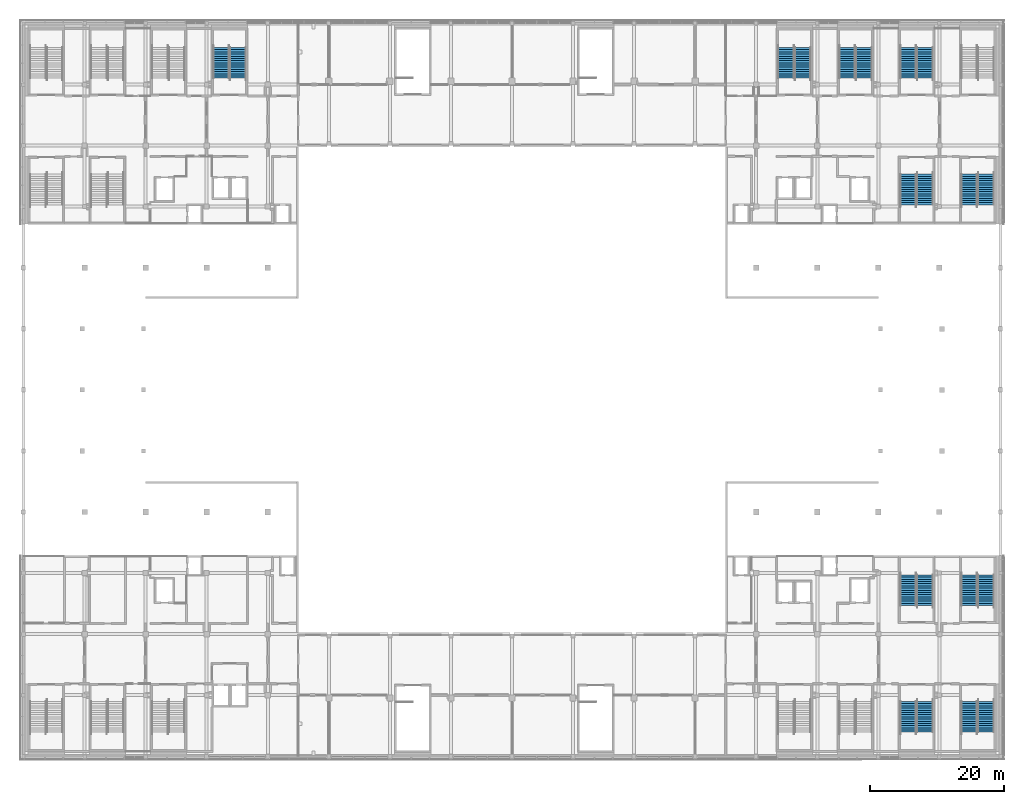
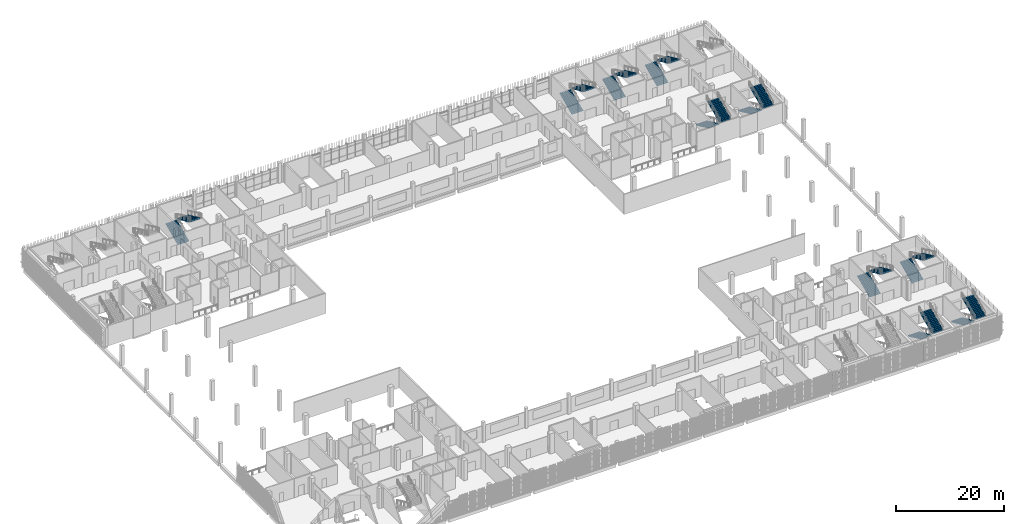
# One storey, part 70 of 104: 20 stair flights, 10 elements without a shape of their own.
"""IFC4 building model written with IfcOpenShell, lengths in metres."""

from ifc_helpers import new_model, si_unit, direction, frame, origin, place, context, subcontext, project, spatial, polyline, outline, extrude, material, type_object, element, aggregate, save


model = new_model("IFC4")

# Units and contexts
model_context = context("Model", 3, precision=1e-05, world=origin(), true_north=direction((0.0, 1.0)))
body_context = subcontext(model_context, "Body", "Model", "MODEL_VIEW")
ifc_project = project(units=[si_unit("LENGTHUNIT", "METRE"), si_unit("AREAUNIT", "SQUARE_METRE"), si_unit("VOLUMEUNIT", "CUBIC_METRE"), si_unit("PLANEANGLEUNIT", "RADIAN"), si_unit("MASSUNIT", "GRAM", prefix="KILO")], contexts=[model_context])

# Site, building, storey
site_placement = place(None, origin())
site = spatial("IfcSite", under=ifc_project, at=site_placement, CompositionType="ELEMENT")
building_placement = place(site_placement, origin())
building = spatial("IfcBuilding", under=site, at=building_placement, Name="Shirokan Park Arena", CompositionType="ELEMENT")
storey_placement = place(building_placement, frame((0.0, 0.0, 10.919921875)))
storey = spatial("IfcBuildingStorey", under=building, at=storey_placement, Name="L02", CompositionType="ELEMENT", Elevation=10.919921875)

# Stair, stair flights
ifc_material = material(Name="Concrete C30 precast", Category="concrete")
stair_type = type_object("IfcStairType", Name="Stair 30 risers 152 x 327 2400 wide", PredefinedType="TWO_STRAIGHT_RUN_STAIR", material=ifc_material)
stair_1_placement = place(storey_placement, origin())
stair_1 = element("IfcStair", 1, at=stair_1_placement, inside=storey, type_object=stair_type, Name="Exit Stair 2.A L02 to L03", PredefinedType="TWO_STRAIGHT_RUN_STAIR")
stair_flight_type = type_object("IfcStairFlightType", Name="Stair flight 15 risers 152 x 327 2400 wide", PredefinedType="STRAIGHT", material=ifc_material)
stair_flight_1_placement = place(storey_placement, frame((140.949951171875, 8.14990234375, 0.0), z_axis=(0.0, 0.0, 1.0), x_axis=(0.0, -1.0, 0.0)))
stair_flight_1 = element("IfcStairFlight", 2, at=stair_flight_1_placement, type_object=stair_flight_type, Name="ST04.3 flight 1", NumberOfRisers=15, NumberOfTreads=14, PredefinedType="STRAIGHT", RiserHeight=0.151666667, TreadLength=0.3267, context=body_context, shape_type="SweptSolid", body=[
    extrude(outline(polyline([(0.0, 0.0), (0.0, 0.151611328125), (0.32666015625, 0.151611328125), (0.32666015625, 0.30322265625), (0.6533203125, 0.30322265625), (0.6533203125, 0.455078125), (0.97998046875, 0.455078125), (0.97998046875, 0.606689453125), (1.306884765625, 0.606689453125), (1.306884765625, 0.75830078125), (1.633544921875, 0.75830078125), (1.633544921875, 0.909912109375), (1.960205078125, 0.909912109375), (1.960205078125, 1.061767578125), (2.286865234375, 1.061767578125), (2.286865234375, 1.21337890625), (2.613525390625, 1.21337890625), (2.613525390625, 1.364990234375), (2.940185546875, 1.364990234375), (2.940185546875, 1.5166015625), (3.26708984375, 1.5166015625), (3.26708984375, 1.668212890625), (3.59375, 1.668212890625), (3.59375, 1.820068359375), (3.92041015625, 1.820068359375), (3.92041015625, 1.9716796875), (4.2470703125, 1.9716796875), (4.2470703125, 2.123291015625), (4.57373046875, 2.123291015625), (4.57373046875, 2.27490234375), (4.57373046875, 1.9580078125), (0.35595703125, 0.0), (0.0, 0.0)])), frame((0.0, 1.199951171875, 0.0), z_axis=(0.0, -1.0, 0.0), x_axis=(1.0, 0.0, 0.0)), (0.0, 0.0, 1.0), 2.39990234375),
])
stair_flight_2_placement = place(storey_placement, frame((143.449951171875, 3.576171875, 2.275146484375), z_axis=(0.0, 0.0, 1.0), x_axis=(0.0, 1.0, 0.0)))
stair_flight_2 = element("IfcStairFlight", 3, at=stair_flight_2_placement, type_object=stair_flight_type, Name="ST04.3 flight 2", NumberOfRisers=15, NumberOfTreads=14, PredefinedType="STRAIGHT", RiserHeight=0.151666667, TreadLength=0.3267, context=body_context, shape_type="SweptSolid", body=[
    extrude(outline(polyline([(0.0, 0.0), (0.0, 0.151611328125), (0.32666015625, 0.151611328125), (0.32666015625, 0.30322265625), (0.6533203125, 0.30322265625), (0.6533203125, 0.455078125), (0.97998046875, 0.455078125), (0.97998046875, 0.606689453125), (1.306884765625, 0.606689453125), (1.306884765625, 0.75830078125), (1.633544921875, 0.75830078125), (1.633544921875, 0.909912109375), (1.960205078125, 0.909912109375), (1.960205078125, 1.061767578125), (2.286865234375, 1.061767578125), (2.286865234375, 1.21337890625), (2.613525390625, 1.21337890625), (2.613525390625, 1.364990234375), (2.940185546875, 1.364990234375), (2.940185546875, 1.5166015625), (3.26708984375, 1.5166015625), (3.26708984375, 1.668212890625), (3.59375, 1.668212890625), (3.59375, 1.820068359375), (3.92041015625, 1.820068359375), (3.92041015625, 1.9716796875), (4.2470703125, 1.9716796875), (4.2470703125, 2.123291015625), (4.57373046875, 2.123291015625), (4.57373046875, 2.27490234375), (4.57373046875, 1.9580078125), (0.35595703125, 0.0), (0.0, 0.0)])), frame((0.0, 1.199951171875, 0.0), z_axis=(0.0, -1.0, 0.0), x_axis=(1.0, 0.0, 0.0)), (0.0, 0.0, 1.0), 2.39990234375),
])
aggregate(stair_1, [stair_flight_1, stair_flight_2])

stair_2_placement = place(storey_placement, origin())
stair_2 = element("IfcStair", 4, at=stair_2_placement, inside=storey, type_object=stair_type, Name="Exit Stair 2.B L02 to L03", PredefinedType="TWO_STRAIGHT_RUN_STAIR")
stair_flight_3_placement = place(storey_placement, frame((131.85009765625, 8.14990234375, 0.0), z_axis=(0.0, 0.0, 1.0), x_axis=(0.0, -1.0, 0.0)))
stair_flight_3 = element("IfcStairFlight", 5, at=stair_flight_3_placement, type_object=stair_flight_type, Name="ST05.3 flight 1", NumberOfRisers=15, NumberOfTreads=14, PredefinedType="STRAIGHT", RiserHeight=0.151666667, TreadLength=0.3267, context=body_context, shape_type="SweptSolid", body=[
    extrude(outline(polyline([(0.0, 0.0), (0.0, 0.151611328125), (0.32666015625, 0.151611328125), (0.32666015625, 0.30322265625), (0.6533203125, 0.30322265625), (0.6533203125, 0.455078125), (0.97998046875, 0.455078125), (0.97998046875, 0.606689453125), (1.306884765625, 0.606689453125), (1.306884765625, 0.75830078125), (1.633544921875, 0.75830078125), (1.633544921875, 0.909912109375), (1.960205078125, 0.909912109375), (1.960205078125, 1.061767578125), (2.286865234375, 1.061767578125), (2.286865234375, 1.21337890625), (2.613525390625, 1.21337890625), (2.613525390625, 1.364990234375), (2.940185546875, 1.364990234375), (2.940185546875, 1.5166015625), (3.26708984375, 1.5166015625), (3.26708984375, 1.668212890625), (3.59375, 1.668212890625), (3.59375, 1.820068359375), (3.92041015625, 1.820068359375), (3.92041015625, 1.9716796875), (4.2470703125, 1.9716796875), (4.2470703125, 2.123291015625), (4.57373046875, 2.123291015625), (4.57373046875, 2.27490234375), (4.57373046875, 1.9580078125), (0.35595703125, 0.0), (0.0, 0.0)])), frame((0.0, 1.199951171875, 0.0), z_axis=(0.0, -1.0, 0.0), x_axis=(1.0, 0.0, 0.0)), (0.0, 0.0, 1.0), 2.39990234375),
])
stair_flight_4_placement = place(storey_placement, frame((134.35009765625, 3.576171875, 2.275146484375), z_axis=(0.0, 0.0, 1.0), x_axis=(0.0, 1.0, 0.0)))
stair_flight_4 = element("IfcStairFlight", 6, at=stair_flight_4_placement, type_object=stair_flight_type, Name="ST05.3 flight 2", NumberOfRisers=15, NumberOfTreads=14, PredefinedType="STRAIGHT", RiserHeight=0.151666667, TreadLength=0.3267, context=body_context, shape_type="SweptSolid", body=[
    extrude(outline(polyline([(0.0, 0.0), (0.0, 0.151611328125), (0.32666015625, 0.151611328125), (0.32666015625, 0.30322265625), (0.6533203125, 0.30322265625), (0.6533203125, 0.455078125), (0.97998046875, 0.455078125), (0.97998046875, 0.606689453125), (1.306884765625, 0.606689453125), (1.306884765625, 0.75830078125), (1.633544921875, 0.75830078125), (1.633544921875, 0.909912109375), (1.960205078125, 0.909912109375), (1.960205078125, 1.061767578125), (2.286865234375, 1.061767578125), (2.286865234375, 1.21337890625), (2.613525390625, 1.21337890625), (2.613525390625, 1.364990234375), (2.940185546875, 1.364990234375), (2.940185546875, 1.5166015625), (3.26708984375, 1.5166015625), (3.26708984375, 1.668212890625), (3.59375, 1.668212890625), (3.59375, 1.820068359375), (3.92041015625, 1.820068359375), (3.92041015625, 1.9716796875), (4.2470703125, 1.9716796875), (4.2470703125, 2.123291015625), (4.57373046875, 2.123291015625), (4.57373046875, 2.27490234375), (4.57373046875, 1.9580078125), (0.35595703125, 0.0), (0.0, 0.0)])), frame((0.0, 1.199951171875, 0.0), z_axis=(0.0, -1.0, 0.0), x_axis=(1.0, 0.0, 0.0)), (0.0, 0.0, 1.0), 2.39990234375),
])
aggregate(stair_2, [stair_flight_3, stair_flight_4])

stair_3_placement = place(storey_placement, origin())
stair_3 = element("IfcStair", 7, at=stair_3_placement, inside=storey, type_object=stair_type, Name="Exit Stair 2.E L02 to L03", PredefinedType="TWO_STRAIGHT_RUN_STAIR")
stair_flight_5_placement = place(storey_placement, frame((140.949951171875, 22.449951171875, 0.0), z_axis=(0.0, 0.0, 1.0), x_axis=(0.0, 1.0, 0.0)))
stair_flight_5 = element("IfcStairFlight", 8, at=stair_flight_5_placement, type_object=stair_flight_type, Name="ST08.3 flight 1", NumberOfRisers=15, NumberOfTreads=14, PredefinedType="STRAIGHT", RiserHeight=0.151666667, TreadLength=0.3267, context=body_context, shape_type="SweptSolid", body=[
    extrude(outline(polyline([(0.0, 0.0), (0.0, 0.151611328125), (0.32666015625, 0.151611328125), (0.32666015625, 0.30322265625), (0.6533203125, 0.30322265625), (0.6533203125, 0.455078125), (0.97998046875, 0.455078125), (0.97998046875, 0.606689453125), (1.306884765625, 0.606689453125), (1.306884765625, 0.75830078125), (1.633544921875, 0.75830078125), (1.633544921875, 0.909912109375), (1.960205078125, 0.909912109375), (1.960205078125, 1.061767578125), (2.286865234375, 1.061767578125), (2.286865234375, 1.21337890625), (2.613525390625, 1.21337890625), (2.613525390625, 1.364990234375), (2.940185546875, 1.364990234375), (2.940185546875, 1.5166015625), (3.26708984375, 1.5166015625), (3.26708984375, 1.668212890625), (3.59375, 1.668212890625), (3.59375, 1.820068359375), (3.92041015625, 1.820068359375), (3.92041015625, 1.9716796875), (4.2470703125, 1.9716796875), (4.2470703125, 2.123291015625), (4.57373046875, 2.123291015625), (4.57373046875, 2.27490234375), (4.57373046875, 1.9580078125), (0.35595703125, 0.0), (0.0, 0.0)])), frame((0.0, 1.199951171875, 0.0), z_axis=(0.0, -1.0, 0.0), x_axis=(1.0, 0.0, 0.0)), (0.0, 0.0, 1.0), 2.39990234375),
])
stair_flight_6_placement = place(storey_placement, frame((143.449951171875, 27.023681640625, 2.275146484375), z_axis=(0.0, 0.0, 1.0), x_axis=(0.0, -1.0, 0.0)))
stair_flight_6 = element("IfcStairFlight", 9, at=stair_flight_6_placement, type_object=stair_flight_type, Name="ST08.3 flight 2", NumberOfRisers=15, NumberOfTreads=14, PredefinedType="STRAIGHT", RiserHeight=0.151666667, TreadLength=0.3267, context=body_context, shape_type="SweptSolid", body=[
    extrude(outline(polyline([(0.0, 0.0), (0.0, 0.151611328125), (0.32666015625, 0.151611328125), (0.32666015625, 0.30322265625), (0.6533203125, 0.30322265625), (0.6533203125, 0.455078125), (0.97998046875, 0.455078125), (0.97998046875, 0.606689453125), (1.306884765625, 0.606689453125), (1.306884765625, 0.75830078125), (1.633544921875, 0.75830078125), (1.633544921875, 0.909912109375), (1.960205078125, 0.909912109375), (1.960205078125, 1.061767578125), (2.286865234375, 1.061767578125), (2.286865234375, 1.21337890625), (2.613525390625, 1.21337890625), (2.613525390625, 1.364990234375), (2.940185546875, 1.364990234375), (2.940185546875, 1.5166015625), (3.26708984375, 1.5166015625), (3.26708984375, 1.668212890625), (3.59375, 1.668212890625), (3.59375, 1.820068359375), (3.92041015625, 1.820068359375), (3.92041015625, 1.9716796875), (4.2470703125, 1.9716796875), (4.2470703125, 2.123291015625), (4.57373046875, 2.123291015625), (4.57373046875, 2.27490234375), (4.57373046875, 1.9580078125), (0.35595703125, 0.0), (0.0, 0.0)])), frame((0.0, 1.199951171875, 0.0), z_axis=(0.0, -1.0, 0.0), x_axis=(1.0, 0.0, 0.0)), (0.0, 0.0, 1.0), 2.39990234375),
])
aggregate(stair_3, [stair_flight_5, stair_flight_6])

stair_4_placement = place(storey_placement, origin())
stair_4 = element("IfcStair", 10, at=stair_4_placement, inside=storey, type_object=stair_type, Name="Exit Stair 2.F L02 to L03", PredefinedType="TWO_STRAIGHT_RUN_STAIR")
stair_flight_7_placement = place(storey_placement, frame((131.85009765625, 22.449951171875, 0.0), z_axis=(0.0, 0.0, 1.0), x_axis=(0.0, 1.0, 0.0)))
stair_flight_7 = element("IfcStairFlight", 11, at=stair_flight_7_placement, type_object=stair_flight_type, Name="ST09.3 flight 1", NumberOfRisers=15, NumberOfTreads=14, PredefinedType="STRAIGHT", RiserHeight=0.151666667, TreadLength=0.3267, context=body_context, shape_type="SweptSolid", body=[
    extrude(outline(polyline([(0.0, 0.0), (0.0, 0.151611328125), (0.32666015625, 0.151611328125), (0.32666015625, 0.30322265625), (0.6533203125, 0.30322265625), (0.6533203125, 0.455078125), (0.97998046875, 0.455078125), (0.97998046875, 0.606689453125), (1.306884765625, 0.606689453125), (1.306884765625, 0.75830078125), (1.633544921875, 0.75830078125), (1.633544921875, 0.909912109375), (1.960205078125, 0.909912109375), (1.960205078125, 1.061767578125), (2.286865234375, 1.061767578125), (2.286865234375, 1.21337890625), (2.613525390625, 1.21337890625), (2.613525390625, 1.364990234375), (2.940185546875, 1.364990234375), (2.940185546875, 1.5166015625), (3.26708984375, 1.5166015625), (3.26708984375, 1.668212890625), (3.59375, 1.668212890625), (3.59375, 1.820068359375), (3.92041015625, 1.820068359375), (3.92041015625, 1.9716796875), (4.2470703125, 1.9716796875), (4.2470703125, 2.123291015625), (4.57373046875, 2.123291015625), (4.57373046875, 2.27490234375), (4.57373046875, 1.9580078125), (0.35595703125, 0.0), (0.0, 0.0)])), frame((0.0, 1.199951171875, 0.0), z_axis=(0.0, -1.0, 0.0), x_axis=(1.0, 0.0, 0.0)), (0.0, 0.0, 1.0), 2.39990234375),
])
stair_flight_8_placement = place(storey_placement, frame((134.35009765625, 27.023681640625, 2.275146484375), z_axis=(0.0, 0.0, 1.0), x_axis=(0.0, -1.0, 0.0)))
stair_flight_8 = element("IfcStairFlight", 12, at=stair_flight_8_placement, type_object=stair_flight_type, Name="ST09.3 flight 2", NumberOfRisers=15, NumberOfTreads=14, PredefinedType="STRAIGHT", RiserHeight=0.151666667, TreadLength=0.3267, context=body_context, shape_type="SweptSolid", body=[
    extrude(outline(polyline([(0.0, 0.0), (0.0, 0.151611328125), (0.32666015625, 0.151611328125), (0.32666015625, 0.30322265625), (0.6533203125, 0.30322265625), (0.6533203125, 0.455078125), (0.97998046875, 0.455078125), (0.97998046875, 0.606689453125), (1.306884765625, 0.606689453125), (1.306884765625, 0.75830078125), (1.633544921875, 0.75830078125), (1.633544921875, 0.909912109375), (1.960205078125, 0.909912109375), (1.960205078125, 1.061767578125), (2.286865234375, 1.061767578125), (2.286865234375, 1.21337890625), (2.613525390625, 1.21337890625), (2.613525390625, 1.364990234375), (2.940185546875, 1.364990234375), (2.940185546875, 1.5166015625), (3.26708984375, 1.5166015625), (3.26708984375, 1.668212890625), (3.59375, 1.668212890625), (3.59375, 1.820068359375), (3.92041015625, 1.820068359375), (3.92041015625, 1.9716796875), (4.2470703125, 1.9716796875), (4.2470703125, 2.123291015625), (4.57373046875, 2.123291015625), (4.57373046875, 2.27490234375), (4.57373046875, 1.9580078125), (0.35595703125, 0.0), (0.0, 0.0)])), frame((0.0, 1.199951171875, 0.0), z_axis=(0.0, -1.0, 0.0), x_axis=(1.0, 0.0, 0.0)), (0.0, 0.0, 1.0), 2.39990234375),
])
aggregate(stair_4, [stair_flight_7, stair_flight_8])

stair_5_placement = place(storey_placement, origin())
stair_5 = element("IfcStair", 13, at=stair_5_placement, inside=storey, type_object=stair_type, Name="Exit Stair 4.D L02 to L03", PredefinedType="TWO_STRAIGHT_RUN_STAIR")
stair_flight_9_placement = place(storey_placement, frame((29.449951171875, 101.050048828125, 0.0), z_axis=(0.0, 0.0, 1.0), x_axis=(0.0, 1.0, 0.0)))
stair_flight_9 = element("IfcStairFlight", 14, at=stair_flight_9_placement, type_object=stair_flight_type, Name="ST13.3 flight 1", NumberOfRisers=15, NumberOfTreads=14, PredefinedType="STRAIGHT", RiserHeight=0.151666667, TreadLength=0.3267, context=body_context, shape_type="SweptSolid", body=[
    extrude(outline(polyline([(0.0, 0.0), (0.0, 0.151611328125), (0.32666015625, 0.151611328125), (0.32666015625, 0.30322265625), (0.6533203125, 0.30322265625), (0.6533203125, 0.455078125), (0.97998046875, 0.455078125), (0.97998046875, 0.606689453125), (1.306884765625, 0.606689453125), (1.306884765625, 0.75830078125), (1.633544921875, 0.75830078125), (1.633544921875, 0.909912109375), (1.960205078125, 0.909912109375), (1.960205078125, 1.061767578125), (2.286865234375, 1.061767578125), (2.286865234375, 1.21337890625), (2.613525390625, 1.21337890625), (2.613525390625, 1.364990234375), (2.940185546875, 1.364990234375), (2.940185546875, 1.5166015625), (3.26708984375, 1.5166015625), (3.26708984375, 1.668212890625), (3.59375, 1.668212890625), (3.59375, 1.820068359375), (3.92041015625, 1.820068359375), (3.92041015625, 1.9716796875), (4.2470703125, 1.9716796875), (4.2470703125, 2.123291015625), (4.57373046875, 2.123291015625), (4.57373046875, 2.27490234375), (4.57373046875, 1.9580078125), (0.35595703125, 0.0), (0.0, 0.0)])), frame((0.0, 1.199951171875, 0.0), z_axis=(0.0, -1.0, 0.0), x_axis=(1.0, 0.0, 0.0)), (0.0, 0.0, 1.0), 2.39990234375),
])
stair_flight_10_placement = place(storey_placement, frame((31.949951171875, 105.623779296875, 2.275146484375), z_axis=(0.0, 0.0, 1.0), x_axis=(0.0, -1.0, 0.0)))
stair_flight_10 = element("IfcStairFlight", 15, at=stair_flight_10_placement, type_object=stair_flight_type, Name="ST13.3 flight 2", NumberOfRisers=15, NumberOfTreads=14, PredefinedType="STRAIGHT", RiserHeight=0.151666667, TreadLength=0.3267, context=body_context, shape_type="SweptSolid", body=[
    extrude(outline(polyline([(0.0, 0.0), (0.0, 0.151611328125), (0.32666015625, 0.151611328125), (0.32666015625, 0.30322265625), (0.6533203125, 0.30322265625), (0.6533203125, 0.455078125), (0.97998046875, 0.455078125), (0.97998046875, 0.606689453125), (1.306884765625, 0.606689453125), (1.306884765625, 0.75830078125), (1.633544921875, 0.75830078125), (1.633544921875, 0.909912109375), (1.960205078125, 0.909912109375), (1.960205078125, 1.061767578125), (2.286865234375, 1.061767578125), (2.286865234375, 1.21337890625), (2.613525390625, 1.21337890625), (2.613525390625, 1.364990234375), (2.940185546875, 1.364990234375), (2.940185546875, 1.5166015625), (3.26708984375, 1.5166015625), (3.26708984375, 1.668212890625), (3.59375, 1.668212890625), (3.59375, 1.820068359375), (3.92041015625, 1.820068359375), (3.92041015625, 1.9716796875), (4.2470703125, 1.9716796875), (4.2470703125, 2.123291015625), (4.57373046875, 2.123291015625), (4.57373046875, 2.27490234375), (4.57373046875, 1.9580078125), (0.35595703125, 0.0), (0.0, 0.0)])), frame((0.0, 1.199951171875, 0.0), z_axis=(0.0, -1.0, 0.0), x_axis=(1.0, 0.0, 0.0)), (0.0, 0.0, 1.0), 2.39990234375),
])
aggregate(stair_5, [stair_flight_9, stair_flight_10])

stair_6_placement = place(storey_placement, origin())
stair_6 = element("IfcStair", 16, at=stair_6_placement, inside=storey, type_object=stair_type, Name="Exit Stair 3.B L02 to L03", PredefinedType="TWO_STRAIGHT_RUN_STAIR")
stair_flight_11_placement = place(storey_placement, frame((131.85009765625, 101.050048828125, 0.0), z_axis=(0.0, 0.0, 1.0), x_axis=(0.0, 1.0, 0.0)))
stair_flight_11 = element("IfcStairFlight", 17, at=stair_flight_11_placement, type_object=stair_flight_type, Name="ST17.3 flight 1", NumberOfRisers=15, NumberOfTreads=14, PredefinedType="STRAIGHT", RiserHeight=0.151666667, TreadLength=0.3267, context=body_context, shape_type="SweptSolid", body=[
    extrude(outline(polyline([(0.0, 0.0), (0.0, 0.151611328125), (0.32666015625, 0.151611328125), (0.32666015625, 0.30322265625), (0.6533203125, 0.30322265625), (0.6533203125, 0.455078125), (0.97998046875, 0.455078125), (0.97998046875, 0.606689453125), (1.306884765625, 0.606689453125), (1.306884765625, 0.75830078125), (1.633544921875, 0.75830078125), (1.633544921875, 0.909912109375), (1.960205078125, 0.909912109375), (1.960205078125, 1.061767578125), (2.286865234375, 1.061767578125), (2.286865234375, 1.21337890625), (2.613525390625, 1.21337890625), (2.613525390625, 1.364990234375), (2.940185546875, 1.364990234375), (2.940185546875, 1.5166015625), (3.26708984375, 1.5166015625), (3.26708984375, 1.668212890625), (3.59375, 1.668212890625), (3.59375, 1.820068359375), (3.92041015625, 1.820068359375), (3.92041015625, 1.9716796875), (4.2470703125, 1.9716796875), (4.2470703125, 2.123291015625), (4.57373046875, 2.123291015625), (4.57373046875, 2.27490234375), (4.57373046875, 1.9580078125), (0.35595703125, 0.0), (0.0, 0.0)])), frame((0.0, 1.199951171875, 0.0), z_axis=(0.0, -1.0, 0.0), x_axis=(1.0, 0.0, 0.0)), (0.0, 0.0, 1.0), 2.39990234375),
])
stair_flight_12_placement = place(storey_placement, frame((134.35009765625, 105.623779296875, 2.275146484375), z_axis=(0.0, 0.0, 1.0), x_axis=(0.0, -1.0, 0.0)))
stair_flight_12 = element("IfcStairFlight", 18, at=stair_flight_12_placement, type_object=stair_flight_type, Name="ST17.3 flight 2", NumberOfRisers=15, NumberOfTreads=14, PredefinedType="STRAIGHT", RiserHeight=0.151666667, TreadLength=0.3267, context=body_context, shape_type="SweptSolid", body=[
    extrude(outline(polyline([(0.0, 0.0), (0.0, 0.151611328125), (0.32666015625, 0.151611328125), (0.32666015625, 0.30322265625), (0.6533203125, 0.30322265625), (0.6533203125, 0.455078125), (0.97998046875, 0.455078125), (0.97998046875, 0.606689453125), (1.306884765625, 0.606689453125), (1.306884765625, 0.75830078125), (1.633544921875, 0.75830078125), (1.633544921875, 0.909912109375), (1.960205078125, 0.909912109375), (1.960205078125, 1.061767578125), (2.286865234375, 1.061767578125), (2.286865234375, 1.21337890625), (2.613525390625, 1.21337890625), (2.613525390625, 1.364990234375), (2.940185546875, 1.364990234375), (2.940185546875, 1.5166015625), (3.26708984375, 1.5166015625), (3.26708984375, 1.668212890625), (3.59375, 1.668212890625), (3.59375, 1.820068359375), (3.92041015625, 1.820068359375), (3.92041015625, 1.9716796875), (4.2470703125, 1.9716796875), (4.2470703125, 2.123291015625), (4.57373046875, 2.123291015625), (4.57373046875, 2.27490234375), (4.57373046875, 1.9580078125), (0.35595703125, 0.0), (0.0, 0.0)])), frame((0.0, 1.199951171875, 0.0), z_axis=(0.0, -1.0, 0.0), x_axis=(1.0, 0.0, 0.0)), (0.0, 0.0, 1.0), 2.39990234375),
])
aggregate(stair_6, [stair_flight_11, stair_flight_12])

stair_7_placement = place(storey_placement, origin())
stair_7 = element("IfcStair", 19, at=stair_7_placement, inside=storey, type_object=stair_type, Name="Exit Stair 3.C L02 to L03", PredefinedType="TWO_STRAIGHT_RUN_STAIR")
stair_flight_13_placement = place(storey_placement, frame((122.75, 101.050048828125, 0.0), z_axis=(0.0, 0.0, 1.0), x_axis=(0.0, 1.0, 0.0)))
stair_flight_13 = element("IfcStairFlight", 20, at=stair_flight_13_placement, type_object=stair_flight_type, Name="ST18.3 flight 1", NumberOfRisers=15, NumberOfTreads=14, PredefinedType="STRAIGHT", RiserHeight=0.151666667, TreadLength=0.3267, context=body_context, shape_type="SweptSolid", body=[
    extrude(outline(polyline([(0.0, 0.0), (0.0, 0.151611328125), (0.32666015625, 0.151611328125), (0.32666015625, 0.30322265625), (0.6533203125, 0.30322265625), (0.6533203125, 0.455078125), (0.97998046875, 0.455078125), (0.97998046875, 0.606689453125), (1.306884765625, 0.606689453125), (1.306884765625, 0.75830078125), (1.633544921875, 0.75830078125), (1.633544921875, 0.909912109375), (1.960205078125, 0.909912109375), (1.960205078125, 1.061767578125), (2.286865234375, 1.061767578125), (2.286865234375, 1.21337890625), (2.613525390625, 1.21337890625), (2.613525390625, 1.364990234375), (2.940185546875, 1.364990234375), (2.940185546875, 1.5166015625), (3.26708984375, 1.5166015625), (3.26708984375, 1.668212890625), (3.59375, 1.668212890625), (3.59375, 1.820068359375), (3.92041015625, 1.820068359375), (3.92041015625, 1.9716796875), (4.2470703125, 1.9716796875), (4.2470703125, 2.123291015625), (4.57373046875, 2.123291015625), (4.57373046875, 2.27490234375), (4.57373046875, 1.9580078125), (0.35595703125, 0.0), (0.0, 0.0)])), frame((0.0, 1.199951171875, 0.0), z_axis=(0.0, -1.0, 0.0), x_axis=(1.0, 0.0, 0.0)), (0.0, 0.0, 1.0), 2.39990234375),
])
stair_flight_14_placement = place(storey_placement, frame((125.25, 105.623779296875, 2.275146484375), z_axis=(0.0, 0.0, 1.0), x_axis=(0.0, -1.0, 0.0)))
stair_flight_14 = element("IfcStairFlight", 21, at=stair_flight_14_placement, type_object=stair_flight_type, Name="ST18.3 flight 2", NumberOfRisers=15, NumberOfTreads=14, PredefinedType="STRAIGHT", RiserHeight=0.151666667, TreadLength=0.3267, context=body_context, shape_type="SweptSolid", body=[
    extrude(outline(polyline([(0.0, 0.0), (0.0, 0.151611328125), (0.32666015625, 0.151611328125), (0.32666015625, 0.30322265625), (0.6533203125, 0.30322265625), (0.6533203125, 0.455078125), (0.97998046875, 0.455078125), (0.97998046875, 0.606689453125), (1.306884765625, 0.606689453125), (1.306884765625, 0.75830078125), (1.633544921875, 0.75830078125), (1.633544921875, 0.909912109375), (1.960205078125, 0.909912109375), (1.960205078125, 1.061767578125), (2.286865234375, 1.061767578125), (2.286865234375, 1.21337890625), (2.613525390625, 1.21337890625), (2.613525390625, 1.364990234375), (2.940185546875, 1.364990234375), (2.940185546875, 1.5166015625), (3.26708984375, 1.5166015625), (3.26708984375, 1.668212890625), (3.59375, 1.668212890625), (3.59375, 1.820068359375), (3.92041015625, 1.820068359375), (3.92041015625, 1.9716796875), (4.2470703125, 1.9716796875), (4.2470703125, 2.123291015625), (4.57373046875, 2.123291015625), (4.57373046875, 2.27490234375), (4.57373046875, 1.9580078125), (0.35595703125, 0.0), (0.0, 0.0)])), frame((0.0, 1.199951171875, 0.0), z_axis=(0.0, -1.0, 0.0), x_axis=(1.0, 0.0, 0.0)), (0.0, 0.0, 1.0), 2.39990234375),
])
aggregate(stair_7, [stair_flight_13, stair_flight_14])

stair_8_placement = place(storey_placement, origin())
stair_8 = element("IfcStair", 22, at=stair_8_placement, inside=storey, type_object=stair_type, Name="Exit Stair 3.D L02 to L03", PredefinedType="TWO_STRAIGHT_RUN_STAIR")
stair_flight_15_placement = place(storey_placement, frame((113.64990234375, 101.050048828125, 0.0), z_axis=(0.0, 0.0, 1.0), x_axis=(0.0, 1.0, 0.0)))
stair_flight_15 = element("IfcStairFlight", 23, at=stair_flight_15_placement, type_object=stair_flight_type, Name="ST19.3 flight 1", NumberOfRisers=15, NumberOfTreads=14, PredefinedType="STRAIGHT", RiserHeight=0.151666667, TreadLength=0.3267, context=body_context, shape_type="SweptSolid", body=[
    extrude(outline(polyline([(0.0, 0.0), (0.0, 0.151611328125), (0.32666015625, 0.151611328125), (0.32666015625, 0.30322265625), (0.6533203125, 0.30322265625), (0.6533203125, 0.455078125), (0.97998046875, 0.455078125), (0.97998046875, 0.606689453125), (1.306884765625, 0.606689453125), (1.306884765625, 0.75830078125), (1.633544921875, 0.75830078125), (1.633544921875, 0.909912109375), (1.960205078125, 0.909912109375), (1.960205078125, 1.061767578125), (2.286865234375, 1.061767578125), (2.286865234375, 1.21337890625), (2.613525390625, 1.21337890625), (2.613525390625, 1.364990234375), (2.940185546875, 1.364990234375), (2.940185546875, 1.5166015625), (3.26708984375, 1.5166015625), (3.26708984375, 1.668212890625), (3.59375, 1.668212890625), (3.59375, 1.820068359375), (3.92041015625, 1.820068359375), (3.92041015625, 1.9716796875), (4.2470703125, 1.9716796875), (4.2470703125, 2.123291015625), (4.57373046875, 2.123291015625), (4.57373046875, 2.27490234375), (4.57373046875, 1.9580078125), (0.35595703125, 0.0), (0.0, 0.0)])), frame((0.0, 1.199951171875, 0.0), z_axis=(0.0, -1.0, 0.0), x_axis=(1.0, 0.0, 0.0)), (0.0, 0.0, 1.0), 2.39990234375),
])
stair_flight_16_placement = place(storey_placement, frame((116.14990234375, 105.623779296875, 2.275146484375), z_axis=(0.0, 0.0, 1.0), x_axis=(0.0, -1.0, 0.0)))
stair_flight_16 = element("IfcStairFlight", 24, at=stair_flight_16_placement, type_object=stair_flight_type, Name="ST19.3 flight 2", NumberOfRisers=15, NumberOfTreads=14, PredefinedType="STRAIGHT", RiserHeight=0.151666667, TreadLength=0.3267, context=body_context, shape_type="SweptSolid", body=[
    extrude(outline(polyline([(0.0, 0.0), (0.0, 0.151611328125), (0.32666015625, 0.151611328125), (0.32666015625, 0.30322265625), (0.6533203125, 0.30322265625), (0.6533203125, 0.455078125), (0.97998046875, 0.455078125), (0.97998046875, 0.606689453125), (1.306884765625, 0.606689453125), (1.306884765625, 0.75830078125), (1.633544921875, 0.75830078125), (1.633544921875, 0.909912109375), (1.960205078125, 0.909912109375), (1.960205078125, 1.061767578125), (2.286865234375, 1.061767578125), (2.286865234375, 1.21337890625), (2.613525390625, 1.21337890625), (2.613525390625, 1.364990234375), (2.940185546875, 1.364990234375), (2.940185546875, 1.5166015625), (3.26708984375, 1.5166015625), (3.26708984375, 1.668212890625), (3.59375, 1.668212890625), (3.59375, 1.820068359375), (3.92041015625, 1.820068359375), (3.92041015625, 1.9716796875), (4.2470703125, 1.9716796875), (4.2470703125, 2.123291015625), (4.57373046875, 2.123291015625), (4.57373046875, 2.27490234375), (4.57373046875, 1.9580078125), (0.35595703125, 0.0), (0.0, 0.0)])), frame((0.0, 1.199951171875, 0.0), z_axis=(0.0, -1.0, 0.0), x_axis=(1.0, 0.0, 0.0)), (0.0, 0.0, 1.0), 2.39990234375),
])
aggregate(stair_8, [stair_flight_15, stair_flight_16])

stair_9_placement = place(storey_placement, origin())
stair_9 = element("IfcStair", 25, at=stair_9_placement, inside=storey, type_object=stair_type, Name="Exit Stair 3.E L02 to L03", PredefinedType="TWO_STRAIGHT_RUN_STAIR")
stair_flight_17_placement = place(storey_placement, frame((140.949951171875, 86.75, 0.0), z_axis=(0.0, 0.0, 1.0), x_axis=(0.0, -1.0, 0.0)))
stair_flight_17 = element("IfcStairFlight", 26, at=stair_flight_17_placement, type_object=stair_flight_type, Name="ST20.3 flight 1", NumberOfRisers=15, NumberOfTreads=14, PredefinedType="STRAIGHT", RiserHeight=0.151666667, TreadLength=0.3267, context=body_context, shape_type="SweptSolid", body=[
    extrude(outline(polyline([(0.0, 0.0), (0.0, 0.151611328125), (0.32666015625, 0.151611328125), (0.32666015625, 0.30322265625), (0.6533203125, 0.30322265625), (0.6533203125, 0.455078125), (0.97998046875, 0.455078125), (0.97998046875, 0.606689453125), (1.306884765625, 0.606689453125), (1.306884765625, 0.75830078125), (1.633544921875, 0.75830078125), (1.633544921875, 0.909912109375), (1.960205078125, 0.909912109375), (1.960205078125, 1.061767578125), (2.286865234375, 1.061767578125), (2.286865234375, 1.21337890625), (2.613525390625, 1.21337890625), (2.613525390625, 1.364990234375), (2.940185546875, 1.364990234375), (2.940185546875, 1.5166015625), (3.26708984375, 1.5166015625), (3.26708984375, 1.668212890625), (3.59375, 1.668212890625), (3.59375, 1.820068359375), (3.92041015625, 1.820068359375), (3.92041015625, 1.9716796875), (4.2470703125, 1.9716796875), (4.2470703125, 2.123291015625), (4.57373046875, 2.123291015625), (4.57373046875, 2.27490234375), (4.57373046875, 1.9580078125), (0.35595703125, 0.0), (0.0, 0.0)])), frame((0.0, 1.199951171875, 0.0), z_axis=(0.0, -1.0, 0.0), x_axis=(1.0, 0.0, 0.0)), (0.0, 0.0, 1.0), 2.39990234375),
])
stair_flight_18_placement = place(storey_placement, frame((143.449951171875, 82.17626953125, 2.275146484375), z_axis=(0.0, 0.0, 1.0), x_axis=(0.0, 1.0, 0.0)))
stair_flight_18 = element("IfcStairFlight", 27, at=stair_flight_18_placement, type_object=stair_flight_type, Name="ST20.3 flight 2", NumberOfRisers=15, NumberOfTreads=14, PredefinedType="STRAIGHT", RiserHeight=0.151666667, TreadLength=0.3267, context=body_context, shape_type="SweptSolid", body=[
    extrude(outline(polyline([(0.0, 0.0), (0.0, 0.151611328125), (0.32666015625, 0.151611328125), (0.32666015625, 0.30322265625), (0.6533203125, 0.30322265625), (0.6533203125, 0.455078125), (0.97998046875, 0.455078125), (0.97998046875, 0.606689453125), (1.306884765625, 0.606689453125), (1.306884765625, 0.75830078125), (1.633544921875, 0.75830078125), (1.633544921875, 0.909912109375), (1.960205078125, 0.909912109375), (1.960205078125, 1.061767578125), (2.286865234375, 1.061767578125), (2.286865234375, 1.21337890625), (2.613525390625, 1.21337890625), (2.613525390625, 1.364990234375), (2.940185546875, 1.364990234375), (2.940185546875, 1.5166015625), (3.26708984375, 1.5166015625), (3.26708984375, 1.668212890625), (3.59375, 1.668212890625), (3.59375, 1.820068359375), (3.92041015625, 1.820068359375), (3.92041015625, 1.9716796875), (4.2470703125, 1.9716796875), (4.2470703125, 2.123291015625), (4.57373046875, 2.123291015625), (4.57373046875, 2.27490234375), (4.57373046875, 1.9580078125), (0.35595703125, 0.0), (0.0, 0.0)])), frame((0.0, 1.199951171875, 0.0), z_axis=(0.0, -1.0, 0.0), x_axis=(1.0, 0.0, 0.0)), (0.0, 0.0, 1.0), 2.39990234375),
])
aggregate(stair_9, [stair_flight_17, stair_flight_18])

stair_10_placement = place(storey_placement, origin())
stair_10 = element("IfcStair", 28, at=stair_10_placement, inside=storey, type_object=stair_type, Name="Exit Stair 3.F L02 to L03", PredefinedType="TWO_STRAIGHT_RUN_STAIR")
stair_flight_19_placement = place(storey_placement, frame((131.85009765625, 86.75, 0.0), z_axis=(0.0, 0.0, 1.0), x_axis=(0.0, -1.0, 0.0)))
stair_flight_19 = element("IfcStairFlight", 29, at=stair_flight_19_placement, type_object=stair_flight_type, Name="ST21.3 flight 1", NumberOfRisers=15, NumberOfTreads=14, PredefinedType="STRAIGHT", RiserHeight=0.151666667, TreadLength=0.3267, context=body_context, shape_type="SweptSolid", body=[
    extrude(outline(polyline([(0.0, 0.0), (0.0, 0.151611328125), (0.32666015625, 0.151611328125), (0.32666015625, 0.30322265625), (0.6533203125, 0.30322265625), (0.6533203125, 0.455078125), (0.97998046875, 0.455078125), (0.97998046875, 0.606689453125), (1.306884765625, 0.606689453125), (1.306884765625, 0.75830078125), (1.633544921875, 0.75830078125), (1.633544921875, 0.909912109375), (1.960205078125, 0.909912109375), (1.960205078125, 1.061767578125), (2.286865234375, 1.061767578125), (2.286865234375, 1.21337890625), (2.613525390625, 1.21337890625), (2.613525390625, 1.364990234375), (2.940185546875, 1.364990234375), (2.940185546875, 1.5166015625), (3.26708984375, 1.5166015625), (3.26708984375, 1.668212890625), (3.59375, 1.668212890625), (3.59375, 1.820068359375), (3.92041015625, 1.820068359375), (3.92041015625, 1.9716796875), (4.2470703125, 1.9716796875), (4.2470703125, 2.123291015625), (4.57373046875, 2.123291015625), (4.57373046875, 2.27490234375), (4.57373046875, 1.9580078125), (0.35595703125, 0.0), (0.0, 0.0)])), frame((0.0, 1.199951171875, 0.0), z_axis=(0.0, -1.0, 0.0), x_axis=(1.0, 0.0, 0.0)), (0.0, 0.0, 1.0), 2.39990234375),
])
stair_flight_20_placement = place(storey_placement, frame((134.35009765625, 82.17626953125, 2.275146484375), z_axis=(0.0, 0.0, 1.0), x_axis=(0.0, 1.0, 0.0)))
stair_flight_20 = element("IfcStairFlight", 30, at=stair_flight_20_placement, type_object=stair_flight_type, Name="ST21.3 flight 2", NumberOfRisers=15, NumberOfTreads=14, PredefinedType="STRAIGHT", RiserHeight=0.151666667, TreadLength=0.3267, context=body_context, shape_type="SweptSolid", body=[
    extrude(outline(polyline([(0.0, 0.0), (0.0, 0.151611328125), (0.32666015625, 0.151611328125), (0.32666015625, 0.30322265625), (0.6533203125, 0.30322265625), (0.6533203125, 0.455078125), (0.97998046875, 0.455078125), (0.97998046875, 0.606689453125), (1.306884765625, 0.606689453125), (1.306884765625, 0.75830078125), (1.633544921875, 0.75830078125), (1.633544921875, 0.909912109375), (1.960205078125, 0.909912109375), (1.960205078125, 1.061767578125), (2.286865234375, 1.061767578125), (2.286865234375, 1.21337890625), (2.613525390625, 1.21337890625), (2.613525390625, 1.364990234375), (2.940185546875, 1.364990234375), (2.940185546875, 1.5166015625), (3.26708984375, 1.5166015625), (3.26708984375, 1.668212890625), (3.59375, 1.668212890625), (3.59375, 1.820068359375), (3.92041015625, 1.820068359375), (3.92041015625, 1.9716796875), (4.2470703125, 1.9716796875), (4.2470703125, 2.123291015625), (4.57373046875, 2.123291015625), (4.57373046875, 2.27490234375), (4.57373046875, 1.9580078125), (0.35595703125, 0.0), (0.0, 0.0)])), frame((0.0, 1.199951171875, 0.0), z_axis=(0.0, -1.0, 0.0), x_axis=(1.0, 0.0, 0.0)), (0.0, 0.0, 1.0), 2.39990234375),
])
aggregate(stair_10, [stair_flight_19, stair_flight_20])

save(model, "model.ifc")
